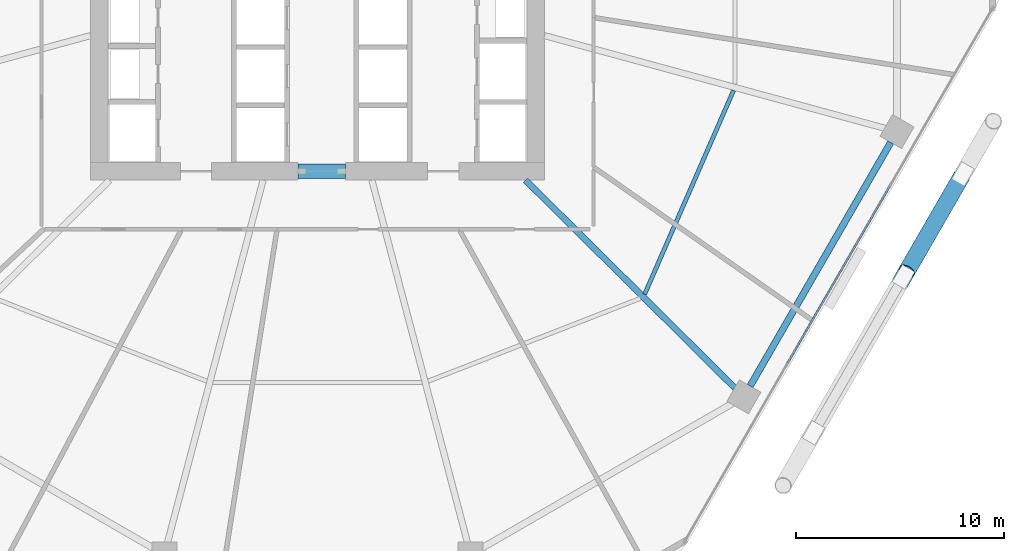
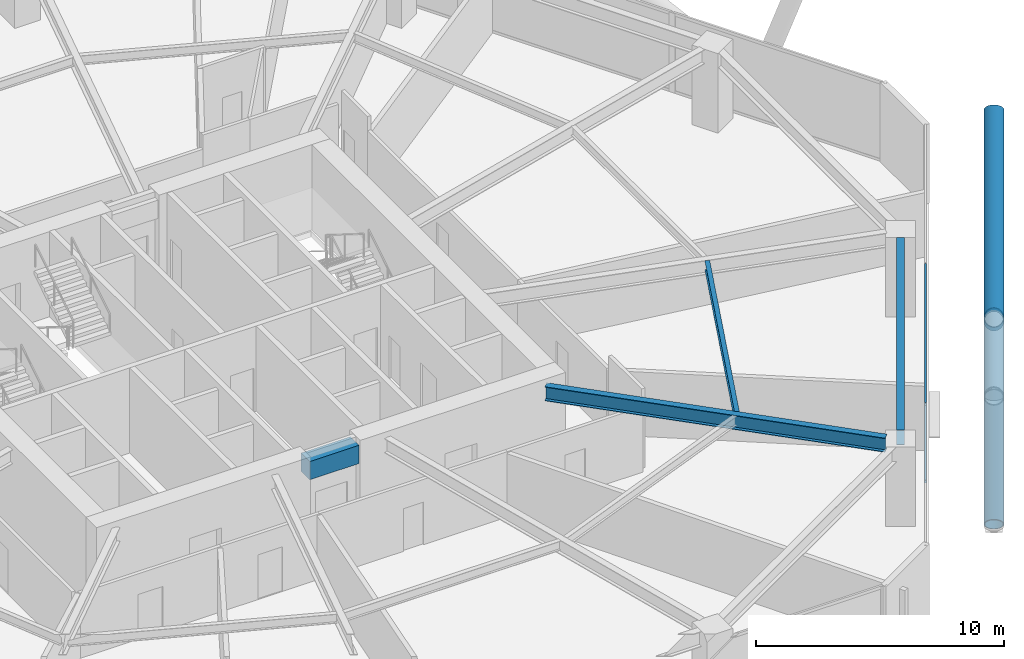
# One storey, part 10 of 30: 4 beams, 4 members, 1 element without a shape of its own.
"""IFC4 building model written with IfcOpenShell, lengths in metres."""

from ifc_helpers import new_model, si_unit, direction, frame, origin, origin_2d, place, context, subcontext, project, spatial, rectangle, hollow_rectangle, hollow_circle, i_section, extrude, material, material_profile, profile_set, type_object, element, aggregate, save


model = new_model("IFC4")

# Units and contexts
model_context = context("Model", 3, precision=1e-05, world=origin(), true_north=direction((0.0, 1.0)))
body_context = subcontext(model_context, "Body", "Model", "MODEL_VIEW")
ifc_project = project(units=[si_unit("LENGTHUNIT", "METRE"), si_unit("AREAUNIT", "SQUARE_METRE"), si_unit("VOLUMEUNIT", "CUBIC_METRE"), si_unit("PLANEANGLEUNIT", "RADIAN"), si_unit("MASSUNIT", "GRAM", prefix="KILO")], contexts=[model_context])

# Site, building, storey
site_placement = place(None, origin())
site = spatial("IfcSite", under=ifc_project, at=site_placement, CompositionType="ELEMENT")
building_placement = place(site_placement, origin())
building = spatial("IfcBuilding", under=site, at=building_placement, Name="Zuhravey Tower", CompositionType="ELEMENT")
storey_placement = place(building_placement, frame((0.0, 0.0, 33.0)))
storey = spatial("IfcBuildingStorey", under=building, at=storey_placement, Name="L08", CompositionType="ELEMENT", Elevation=33.0)

# Beam
ifc_material_1 = material(Name="Concrete C60/75", Category="concrete")
ifc_material_profile_1 = material_profile(ifc_material_1, rectangle(XDim=0.699951171875, YDim=0.89990234375, at=origin_2d()), Name="RC-700x900")
ifc_profile_set_1 = profile_set([ifc_material_profile_1], Name="Concrete C60/75")
beam_type_1 = type_object("IfcBeamType", Name="Core Coupling Beam RC700x900", PredefinedType="LINTEL", material=ifc_profile_set_1)
beam_1_placement = place(storey_placement, frame((35.052001953125, 22.5, 3.469970703125), z_axis=(1.0, 0.0, 0.0), x_axis=(0.0, 1.0, 0.0)))
element("IfcBeam", 1, at=beam_1_placement, inside=storey, type_object=beam_type_1, Name="L08 CB1 BM-L08-CB-S", PredefinedType="LINTEL", context=body_context, shape_type="SweptSolid", body=[
    extrude(rectangle(XDim=0.699951171875, YDim=0.89990234375, at=origin_2d()), origin(), (0.0, 0.0, 1.0), 2.2958984375),
])

# Curtain wall, members
ifc_material_2 = material(Name="Thermally broken anodised aluminium", Category="aluminium")
curtain_wall_type = type_object("IfcCurtainWallType", Name="School Low-E Unitised Curtain Wall CW1", PredefinedType="NOTDEFINED", material=ifc_material_2)
curtain_wall_placement = place(storey_placement, origin())
curtain_wall = element("IfcCurtainWall", 2, at=curtain_wall_placement, inside=storey, type_object=curtain_wall_type, Name="L08 CW1 CW-L08-F6-1", PredefinedType="NOTDEFINED")
ifc_material_3 = material(Name="Anodised aluminium", Category="aluminium")
ifc_material_profile_2 = material_profile(ifc_material_3, hollow_rectangle(XDim=0.090087890625, YDim=0.14990234375, WallThickness=0.0048828125, at=origin_2d()), Name="ALU-RHS-90x150x5")
ifc_profile_set_2 = profile_set([ifc_material_profile_2], Name="Anodised aluminium")
member_type_1 = type_object("IfcMemberType", Name="Curtain-Wall Transom 90x150", PredefinedType="USERDEFINED", material=ifc_profile_set_2)
member_1_placement = place(storey_placement, frame((63.52294921875, 21.754150390625, 0.044921875), z_axis=(-0.499990498062, -0.866030889661, 0.0), x_axis=(0.866030889661, -0.499990498062, 0.0)))
member_1 = element("IfcMember", 3, at=member_1_placement, type_object=member_type_1, Name="CW1 transom 2.1", ObjectType="TRANSOM", PredefinedType="USERDEFINED", context=body_context, shape_type="SweptSolid", body=[
    extrude(hollow_rectangle(XDim=0.090087890625, YDim=0.14990234375, WallThickness=0.0048828125, at=origin_2d()), origin(), (0.0, 0.0, 1.0), 9.776611328125),
])
member_2_placement = place(storey_placement, frame((63.52294921875, 21.754150390625, 3.875), z_axis=(-0.499990498062, -0.866030889661, 0.0), x_axis=(0.866030889661, -0.499990498062, 0.0)))
member_2 = element("IfcMember", 4, at=member_2_placement, type_object=member_type_1, Name="CW1 transom 2.2", ObjectType="TRANSOM", PredefinedType="USERDEFINED", context=body_context, shape_type="SweptSolid", body=[
    extrude(hollow_rectangle(XDim=0.090087890625, YDim=0.14990234375, WallThickness=0.0048828125, at=origin_2d()), origin(), (0.0, 0.0, 1.0), 9.776611328125),
])
aggregate(curtain_wall, [member_1, member_2])

# Members
ifc_material_4 = material(Name="Steel SM460", Category="steel")
ifc_material_profile_3 = material_profile(ifc_material_4, hollow_circle(Radius=0.406494140625, WallThickness=0.035888671875, at=origin_2d()), Name="CHS-812.8x36")
ifc_profile_set_3 = profile_set([ifc_material_profile_3], Name="Steel SM460")
member_type_2 = type_object("IfcMemberType", Name="Exoskeleton Zone 1 Diagrid CHS813x36", PredefinedType="BRACE", material=ifc_profile_set_3)
member_3_placement = place(storey_placement, frame((59.894775390625, 9.949951171875, -0.471923828125), z_axis=(0.449932637588, 0.779312332372, 0.436156978902), x_axis=(-0.866027110715, 0.499997043497, 0.0)))
element("IfcMember", 5, at=member_3_placement, inside=storey, type_object=member_type_2, Name="L08 Face 6 Diagrid Brace 2", PredefinedType="BRACE", context=body_context, shape_type="SweptSolid", body=[
    extrude(hollow_circle(Radius=0.406494140625, WallThickness=0.035888671875, at=origin_2d()), origin(), (0.0, 0.0, 1.0), 19.158203125),
])
member_4_placement = place(storey_placement, frame((67.045654296875, 22.335693359375, -0.464111328125), z_axis=(-0.403092056741, -0.69816190232, 0.59168129254), x_axis=(0.866021056018, -0.500007530476, 0.0)))
element("IfcMember", 6, at=member_4_placement, inside=storey, type_object=member_type_2, Name="L08 Face 6 Split Diagrid Brace 3A", PredefinedType="BRACE", context=body_context, shape_type="SweptSolid", body=[
    extrude(hollow_circle(Radius=0.406494140625, WallThickness=0.035888671875, at=origin_2d()), origin(), (0.0, 0.0, 1.0), 6.6513671875),
])

# Beams
ifc_material_5 = material(Name="Steel SM355", Category="steel")
ifc_material_profile_4 = material_profile(ifc_material_5, i_section(OverallWidth=0.320068359375, OverallDepth=0.75, WebThickness=0.013916015625, FlangeThickness=0.02490234375, at=origin_2d()), Name="H-750x320x14x25")
ifc_profile_set_4 = profile_set([ifc_material_profile_4], Name="Steel SM355")
beam_type_2 = type_object("IfcBeamType", Name="Perimeter Ring Beam H750x320", PredefinedType="BEAM", material=ifc_profile_set_4)
beam_2_placement = place(storey_placement, frame((56.820556640625, 12.165283203125, 3.544921875), z_axis=(0.499999877243, 0.866025474658, 0.0), x_axis=(-0.866025474658, 0.499999877243, 0.0)))
element("IfcBeam", 7, at=beam_2_placement, inside=storey, type_object=beam_type_2, Name="L08 PB1 BM-L08-PB-11", PredefinedType="BEAM", context=body_context, shape_type="SweptSolid", body=[
    extrude(i_section(OverallWidth=0.320068359375, OverallDepth=0.75, WebThickness=0.013916015625, FlangeThickness=0.02490234375, at=origin_2d()), origin(), (0.0, 0.0, 1.0), 13.5341796875),
])
ifc_material_profile_5 = material_profile(ifc_material_5, i_section(OverallWidth=0.300048828125, OverallDepth=0.699951171875, WebThickness=0.012939453125, FlangeThickness=0.02392578125, at=origin_2d()), Name="H-700x300x13x24")
ifc_profile_set_5 = profile_set([ifc_material_profile_5], Name="Steel SM355")
beam_type_3 = type_object("IfcBeamType", Name="Radial Primary Girder H700x300", PredefinedType="BEAM", material=ifc_profile_set_5)
beam_3_placement = place(storey_placement, frame((46.007080078125, 22.072021484375, 3.570068359375), z_axis=(0.709902823282, -0.704299639, 0.0), x_axis=(0.704299639, 0.709902823282, 0.0)))
element("IfcBeam", 8, at=beam_3_placement, inside=storey, type_object=beam_type_3, Name="L08 RG1 BM-L08-RAD-11", PredefinedType="BEAM", context=body_context, shape_type="SweptSolid", body=[
    extrude(i_section(OverallWidth=0.300048828125, OverallDepth=0.699951171875, WebThickness=0.012939453125, FlangeThickness=0.02392578125, at=origin_2d()), origin(), (0.0, 0.0, 1.0), 14.204345703125),
])
ifc_material_profile_6 = material_profile(ifc_material_5, i_section(OverallWidth=0.199951171875, OverallDepth=0.449951171875, WebThickness=0.009033203125, FlangeThickness=0.013916015625, at=origin_2d()), Name="H-450x200x9x14")
ifc_profile_set_6 = profile_set([ifc_material_profile_6], Name="Steel SM355")
beam_type_4 = type_object("IfcBeamType", Name="Secondary Floor Joist H450x200", PredefinedType="JOIST", material=ifc_profile_set_6)
beam_4_placement = place(storey_placement, frame((51.7451171875, 16.58154296875, 3.695068359375), z_axis=(0.399923551578, 0.916548500022, 0.0), x_axis=(-0.916548500022, 0.399923551578, 0.0)))
element("IfcBeam", 9, at=beam_4_placement, inside=storey, type_object=beam_type_4, Name="L08 SJ1 BM-L08-SJ-11-1", PredefinedType="JOIST", context=body_context, shape_type="SweptSolid", body=[
    extrude(i_section(OverallWidth=0.199951171875, OverallDepth=0.449951171875, WebThickness=0.009033203125, FlangeThickness=0.013916015625, at=origin_2d()), origin(), (0.0, 0.0, 1.0), 10.70263671875),
])

save(model, "model.ifc")
